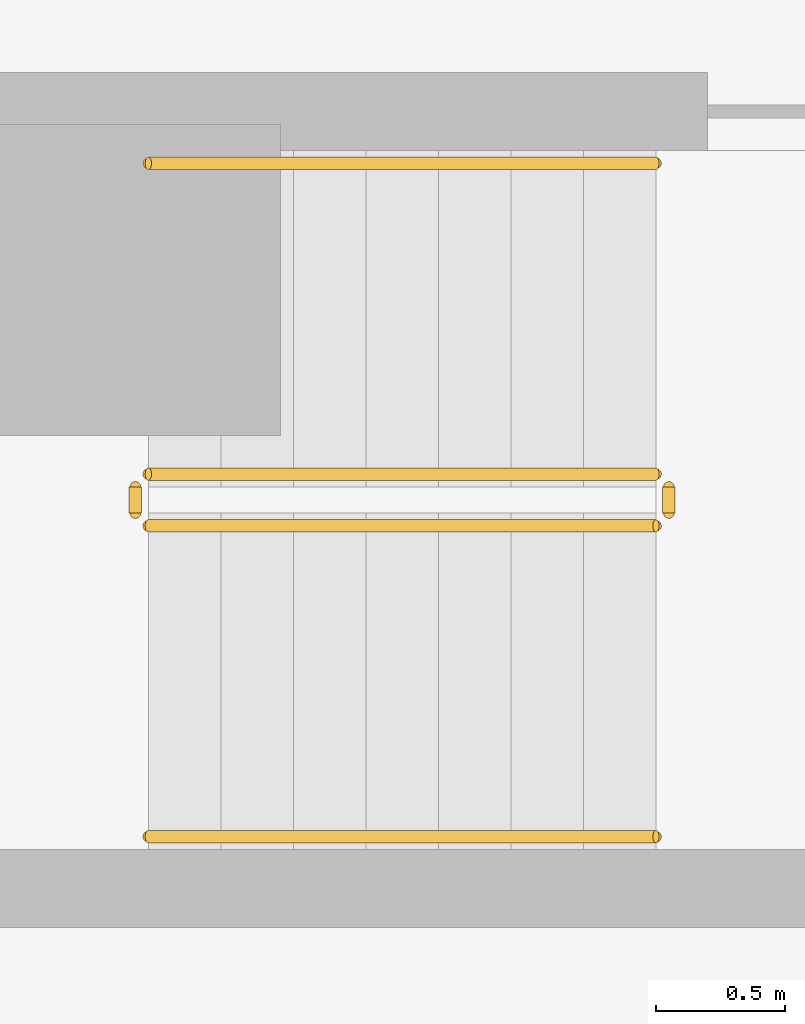
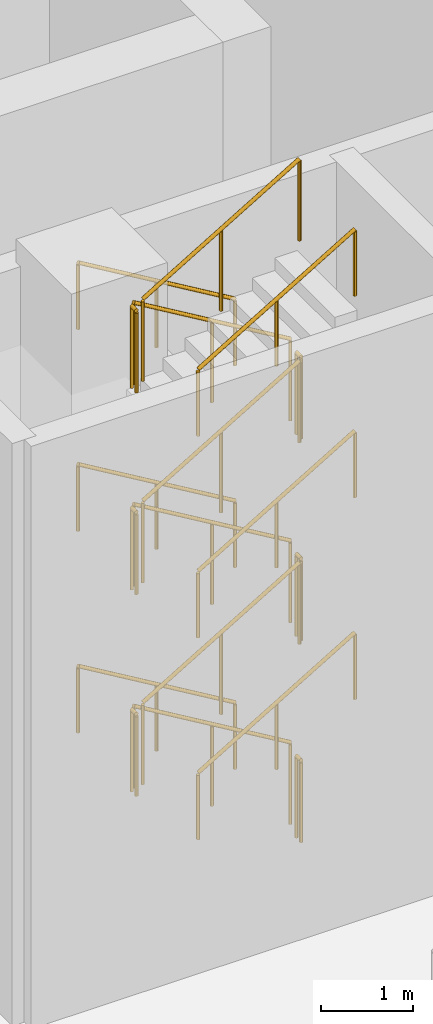
# One storey, part 50 of 54: 18 railings.
"""IFC4 building model written with IfcOpenShell, lengths in metres."""

from ifc_helpers import new_model, si_unit, direction, frame, origin, origin_2d, place, context, subcontext, project, spatial, circle, extrude, material, type_object, element, save


model = new_model("IFC4")

# Units and contexts
model_context = context("Model", 3, precision=1e-05, world=origin(), true_north=direction((0.0, 1.0)))
body_context = subcontext(model_context, "Body", "Model", "MODEL_VIEW")
ifc_project = project(units=[si_unit("LENGTHUNIT", "METRE"), si_unit("AREAUNIT", "SQUARE_METRE"), si_unit("VOLUMEUNIT", "CUBIC_METRE"), si_unit("PLANEANGLEUNIT", "RADIAN"), si_unit("MASSUNIT", "GRAM", prefix="KILO")], contexts=[model_context])

# Site, building, storey
site_placement = place(None, origin())
site = spatial("IfcSite", under=ifc_project, at=site_placement, CompositionType="ELEMENT")
building_placement = place(site_placement, origin())
building = spatial("IfcBuilding", under=site, at=building_placement, Name="Ogive Portal Towers", CompositionType="ELEMENT")
storey_placement = place(building_placement, origin())
storey = spatial("IfcBuildingStorey", under=building, at=storey_placement, Name="L00", CompositionType="ELEMENT", Elevation=0.0)

# Railings
ifc_material_1 = material(Name="Stainless steel balustrade", Category="steel")
railing_type_1 = type_object("IfcRailingType", Name="INT-GUARD", PredefinedType="GUARDRAIL", material=ifc_material_1)
railing_1_placement = place(storey_placement, frame((142.550048828125, 20.75, 0.166748046875)))
element("IfcRailing", 1, at=railing_1_placement, inside=storey, type_object=railing_type_1, Name="L00 ST-B2 stair guard 1", PredefinedType="GUARDRAIL", context=body_context, shape_type="SweptSolid", body=[
    extrude(circle(Radius=0.02392578125, at=origin_2d()), frame((0.0, 0.0, 1.076171875), z_axis=(-0.85931976652, 0.0, 0.511438695121), x_axis=(0.0, -1.0, 0.0)), (0.0, 0.0, 1.0), 2.28076171875),
    extrude(circle(Radius=0.02099609375, at=origin_2d()), origin(), (0.0, 0.0, 1.0), 1.052001953125),
    extrude(circle(Radius=0.02099609375, at=origin_2d()), frame((-0.97998046875, 0.0, 0.583251953125)), (0.0, 0.0, 1.0), 1.052001953125),
    extrude(circle(Radius=0.02099609375, at=origin_2d()), frame((-1.9599609375, 0.0, 1.16650390625)), (0.0, 0.0, 1.0), 1.052001953125),
])
railing_2_placement = place(storey_placement, frame((140.5400390625, 20.699951171875, 1.333251953125)))
element("IfcRailing", 2, at=railing_2_placement, inside=storey, type_object=railing_type_1, Name="L00 ST-B2 stair guard 2", PredefinedType="GUARDRAIL", context=body_context, shape_type="SweptSolid", body=[
    extrude(circle(Radius=0.02392578125, at=origin_2d()), frame((0.0, 0.0, 1.076171875), z_axis=(0.0, -1.0, 0.0), x_axis=(1.0, 0.0, 0.0)), (0.0, 0.0, 1.0), 0.099853515625),
    extrude(circle(Radius=0.02099609375, at=origin_2d()), origin(), (0.0, 0.0, 1.0), 1.052001953125),
    extrude(circle(Radius=0.02099609375, at=origin_2d()), frame((0.0, -0.099853515625, 0.0)), (0.0, 0.0, 1.0), 1.052001953125),
])
railing_3_placement = place(storey_placement, frame((140.590087890625, 20.550048828125, 1.5)))
element("IfcRailing", 3, at=railing_3_placement, inside=storey, type_object=railing_type_1, Name="L00 ST-B2 stair guard 3", PredefinedType="GUARDRAIL", context=body_context, shape_type="SweptSolid", body=[
    extrude(circle(Radius=0.02392578125, at=origin_2d()), frame((0.0, 0.0, 1.076171875), z_axis=(0.859272722373, 0.0, 0.511517730471), x_axis=(0.0, 1.0, 0.0)), (0.0, 0.0, 1.0), 2.281005859375),
    extrude(circle(Radius=0.02099609375, at=origin_2d()), origin(), (0.0, 0.0, 1.0), 1.052001953125),
    extrude(circle(Radius=0.02099609375, at=origin_2d()), frame((0.97998046875, 0.0, 0.58349609375)), (0.0, 0.0, 1.0), 1.052001953125),
    extrude(circle(Radius=0.02099609375, at=origin_2d()), frame((1.9599609375, 0.0, 1.166748046875)), (0.0, 0.0, 1.0), 1.052001953125),
])
railing_4_placement = place(storey_placement, frame((142.60009765625, 20.699951171875, 2.666748046875)))
element("IfcRailing", 4, at=railing_4_placement, inside=storey, type_object=railing_type_1, Name="L00 ST-B2 stair guard 4", PredefinedType="GUARDRAIL", context=body_context, shape_type="SweptSolid", body=[
    extrude(circle(Radius=0.02392578125, at=origin_2d()), frame((0.0, 0.0, 1.076171875), z_axis=(0.0, -1.0, 0.0), x_axis=(1.0, 0.0, 0.0)), (0.0, 0.0, 1.0), 0.099853515625),
    extrude(circle(Radius=0.02099609375, at=origin_2d()), origin(), (0.0, 0.0, 1.0), 1.052001953125),
    extrude(circle(Radius=0.02099609375, at=origin_2d()), frame((0.0, -0.099853515625, 0.0)), (0.0, 0.0, 1.0), 1.052001953125),
])
railing_5_placement = place(storey_placement, frame((142.550048828125, 20.75, 2.833251953125)))
element("IfcRailing", 5, at=railing_5_placement, inside=storey, type_object=railing_type_1, Name="L00 ST-B2 stair guard 5", PredefinedType="GUARDRAIL", context=body_context, shape_type="SweptSolid", body=[
    extrude(circle(Radius=0.02392578125, at=origin_2d()), frame((0.0, 0.0, 1.076171875), z_axis=(-0.859272722373, 0.0, 0.511517730471), x_axis=(0.0, -1.0, 0.0)), (0.0, 0.0, 1.0), 2.281005859375),
    extrude(circle(Radius=0.02099609375, at=origin_2d()), origin(), (0.0, 0.0, 1.0), 1.052001953125),
    extrude(circle(Radius=0.02099609375, at=origin_2d()), frame((-0.97998046875, 0.0, 0.58349609375)), (0.0, 0.0, 1.0), 1.052001953125),
    extrude(circle(Radius=0.02099609375, at=origin_2d()), frame((-1.9599609375, 0.0, 1.166748046875)), (0.0, 0.0, 1.0), 1.052001953125),
])
railing_6_placement = place(storey_placement, frame((140.5400390625, 20.699951171875, 4.0)))
element("IfcRailing", 6, at=railing_6_placement, inside=storey, type_object=railing_type_1, Name="L00 ST-B2 stair guard 6", PredefinedType="GUARDRAIL", context=body_context, shape_type="SweptSolid", body=[
    extrude(circle(Radius=0.02392578125, at=origin_2d()), frame((0.0, 0.0, 1.076171875), z_axis=(0.0, -1.0, 0.0), x_axis=(1.0, 0.0, 0.0)), (0.0, 0.0, 1.0), 0.099853515625),
    extrude(circle(Radius=0.02099609375, at=origin_2d()), origin(), (0.0, 0.0, 1.0), 1.052001953125),
    extrude(circle(Radius=0.02099609375, at=origin_2d()), frame((0.0, -0.099853515625, 0.0)), (0.0, 0.0, 1.0), 1.052001953125),
])
railing_7_placement = place(storey_placement, frame((140.590087890625, 20.550048828125, 4.166748046875)))
element("IfcRailing", 7, at=railing_7_placement, inside=storey, type_object=railing_type_1, Name="L00 ST-B2 stair guard 7", PredefinedType="GUARDRAIL", context=body_context, shape_type="SweptSolid", body=[
    extrude(circle(Radius=0.02392578125, at=origin_2d()), frame((0.0, 0.0, 1.076171875), z_axis=(0.85931976652, 0.0, 0.511438695121), x_axis=(0.0, 1.0, 0.0)), (0.0, 0.0, 1.0), 2.28076171875),
    extrude(circle(Radius=0.02099609375, at=origin_2d()), origin(), (0.0, 0.0, 1.0), 1.052001953125),
    extrude(circle(Radius=0.02099609375, at=origin_2d()), frame((0.97998046875, 0.0, 0.583251953125)), (0.0, 0.0, 1.0), 1.052001953125),
    extrude(circle(Radius=0.02099609375, at=origin_2d()), frame((1.9599609375, 0.0, 1.16650390625)), (0.0, 0.0, 1.0), 1.052001953125),
])
railing_8_placement = place(storey_placement, frame((142.60009765625, 20.699951171875, 5.333251953125)))
element("IfcRailing", 8, at=railing_8_placement, inside=storey, type_object=railing_type_1, Name="L00 ST-B2 stair guard 8", PredefinedType="GUARDRAIL", context=body_context, shape_type="SweptSolid", body=[
    extrude(circle(Radius=0.02392578125, at=origin_2d()), frame((0.0, 0.0, 1.076171875), z_axis=(0.0, -1.0, 0.0), x_axis=(1.0, 0.0, 0.0)), (0.0, 0.0, 1.0), 0.099853515625),
    extrude(circle(Radius=0.02099609375, at=origin_2d()), origin(), (0.0, 0.0, 1.0), 1.052001953125),
    extrude(circle(Radius=0.02099609375, at=origin_2d()), frame((0.0, -0.099853515625, 0.0)), (0.0, 0.0, 1.0), 1.052001953125),
])
railing_9_placement = place(storey_placement, frame((142.550048828125, 20.75, 5.5)))
element("IfcRailing", 9, at=railing_9_placement, inside=storey, type_object=railing_type_1, Name="L00 ST-B2 stair guard 9", PredefinedType="GUARDRAIL", context=body_context, shape_type="SweptSolid", body=[
    extrude(circle(Radius=0.02392578125, at=origin_2d()), frame((0.0, 0.0, 1.076171875), z_axis=(-0.859272722373, 0.0, 0.511517730471), x_axis=(0.0, -1.0, 0.0)), (0.0, 0.0, 1.0), 2.281005859375),
    extrude(circle(Radius=0.02099609375, at=origin_2d()), origin(), (0.0, 0.0, 1.0), 1.052001953125),
    extrude(circle(Radius=0.02099609375, at=origin_2d()), frame((-0.97998046875, 0.0, 0.58349609375)), (0.0, 0.0, 1.0), 1.052001953125),
    extrude(circle(Radius=0.02099609375, at=origin_2d()), frame((-1.9599609375, 0.0, 1.166748046875)), (0.0, 0.0, 1.0), 1.052001953125),
])
railing_10_placement = place(storey_placement, frame((140.5400390625, 20.699951171875, 6.666748046875)))
element("IfcRailing", 10, at=railing_10_placement, inside=storey, type_object=railing_type_1, Name="L00 ST-B2 stair guard 10", PredefinedType="GUARDRAIL", context=body_context, shape_type="SweptSolid", body=[
    extrude(circle(Radius=0.02392578125, at=origin_2d()), frame((0.0, 0.0, 1.076171875), z_axis=(0.0, -1.0, 0.0), x_axis=(1.0, 0.0, 0.0)), (0.0, 0.0, 1.0), 0.099853515625),
    extrude(circle(Radius=0.02099609375, at=origin_2d()), origin(), (0.0, 0.0, 1.0), 1.052001953125),
    extrude(circle(Radius=0.02099609375, at=origin_2d()), frame((0.0, -0.099853515625, 0.0)), (0.0, 0.0, 1.0), 1.052001953125),
])
railing_11_placement = place(storey_placement, frame((140.590087890625, 20.550048828125, 6.833251953125)))
element("IfcRailing", 11, at=railing_11_placement, inside=storey, type_object=railing_type_1, Name="L00 ST-B2 stair guard 11", PredefinedType="GUARDRAIL", context=body_context, shape_type="SweptSolid", body=[
    extrude(circle(Radius=0.02392578125, at=origin_2d()), frame((0.0, 0.0, 1.076171875), z_axis=(0.859272722373, 0.0, 0.511517730471), x_axis=(0.0, 1.0, 0.0)), (0.0, 0.0, 1.0), 2.281005859375),
    extrude(circle(Radius=0.02099609375, at=origin_2d()), origin(), (0.0, 0.0, 1.0), 1.052001953125),
    extrude(circle(Radius=0.02099609375, at=origin_2d()), frame((0.97998046875, 0.0, 0.58349609375)), (0.0, 0.0, 1.0), 1.052001953125),
    extrude(circle(Radius=0.02099609375, at=origin_2d()), frame((1.9599609375, 0.0, 1.166748046875)), (0.0, 0.0, 1.0), 1.052001953125),
])
railing_12_placement = place(storey_placement, frame((142.60009765625, 20.699951171875, 0.0)))
element("IfcRailing", 12, at=railing_12_placement, inside=storey, type_object=railing_type_1, Name="L00 ST-B2 stair guard 12", PredefinedType="GUARDRAIL", context=body_context, shape_type="SweptSolid", body=[
    extrude(circle(Radius=0.02392578125, at=origin_2d()), frame((0.0, 0.0, 1.076171875), z_axis=(0.0, -1.0, 0.0), x_axis=(1.0, 0.0, 0.0)), (0.0, 0.0, 1.0), 0.099853515625),
    extrude(circle(Radius=0.02099609375, at=origin_2d()), origin(), (0.0, 0.0, 1.0), 1.052001953125),
    extrude(circle(Radius=0.02099609375, at=origin_2d()), frame((0.0, -0.099853515625, 0.0)), (0.0, 0.0, 1.0), 1.052001953125),
])
ifc_material_2 = material(Name="Stainless steel handrail", Category="steel")
railing_type_2 = type_object("IfcRailingType", Name="INT-HANDRAIL", PredefinedType="HANDRAIL", material=ifc_material_2)
railing_13_placement = place(storey_placement, frame((142.550048828125, 21.949951171875, 0.166748046875)))
element("IfcRailing", 13, at=railing_13_placement, inside=storey, type_object=railing_type_2, Name="L00 ST-B2 stair handrail 1", PredefinedType="HANDRAIL", context=body_context, shape_type="SweptSolid", body=[
    extrude(circle(Radius=0.02392578125, at=origin_2d()), frame((0.0, 0.0, 0.8759765625), z_axis=(-0.85931976652, 0.0, 0.511438695121), x_axis=(0.0, -1.0, 0.0)), (0.0, 0.0, 1.0), 2.28076171875),
    extrude(circle(Radius=0.02099609375, at=origin_2d()), origin(), (0.0, 0.0, 1.0), 0.851806640625),
    extrude(circle(Radius=0.02099609375, at=origin_2d()), frame((-0.97998046875, 0.0, 0.583251953125)), (0.0, 0.0, 1.0), 0.851806640625),
    extrude(circle(Radius=0.02099609375, at=origin_2d()), frame((-1.9599609375, 0.0, 1.16650390625)), (0.0, 0.0, 1.0), 0.851806640625),
])
railing_14_placement = place(storey_placement, frame((140.590087890625, 19.35009765625, 1.5)))
element("IfcRailing", 14, at=railing_14_placement, inside=storey, type_object=railing_type_2, Name="L00 ST-B2 stair handrail 2", PredefinedType="HANDRAIL", context=body_context, shape_type="SweptSolid", body=[
    extrude(circle(Radius=0.02392578125, at=origin_2d()), frame((0.0, 0.0, 0.8759765625), z_axis=(0.859272722373, 0.0, 0.511517730471), x_axis=(0.0, 1.0, 0.0)), (0.0, 0.0, 1.0), 2.281005859375),
    extrude(circle(Radius=0.02099609375, at=origin_2d()), origin(), (0.0, 0.0, 1.0), 0.851806640625),
    extrude(circle(Radius=0.02099609375, at=origin_2d()), frame((0.97998046875, 0.0, 0.58349609375)), (0.0, 0.0, 1.0), 0.851806640625),
    extrude(circle(Radius=0.02099609375, at=origin_2d()), frame((1.9599609375, 0.0, 1.166748046875)), (0.0, 0.0, 1.0), 0.851806640625),
])
railing_15_placement = place(storey_placement, frame((142.550048828125, 21.949951171875, 2.833251953125)))
element("IfcRailing", 15, at=railing_15_placement, inside=storey, type_object=railing_type_2, Name="L00 ST-B2 stair handrail 3", PredefinedType="HANDRAIL", context=body_context, shape_type="SweptSolid", body=[
    extrude(circle(Radius=0.02392578125, at=origin_2d()), frame((0.0, 0.0, 0.8759765625), z_axis=(-0.859272722373, 0.0, 0.511517730471), x_axis=(0.0, -1.0, 0.0)), (0.0, 0.0, 1.0), 2.281005859375),
    extrude(circle(Radius=0.02099609375, at=origin_2d()), origin(), (0.0, 0.0, 1.0), 0.851806640625),
    extrude(circle(Radius=0.02099609375, at=origin_2d()), frame((-0.97998046875, 0.0, 0.58349609375)), (0.0, 0.0, 1.0), 0.851806640625),
    extrude(circle(Radius=0.02099609375, at=origin_2d()), frame((-1.9599609375, 0.0, 1.166748046875)), (0.0, 0.0, 1.0), 0.851806640625),
])
railing_16_placement = place(storey_placement, frame((140.590087890625, 19.35009765625, 4.166748046875)))
element("IfcRailing", 16, at=railing_16_placement, inside=storey, type_object=railing_type_2, Name="L00 ST-B2 stair handrail 4", PredefinedType="HANDRAIL", context=body_context, shape_type="SweptSolid", body=[
    extrude(circle(Radius=0.02392578125, at=origin_2d()), frame((0.0, 0.0, 0.8759765625), z_axis=(0.85931976652, 0.0, 0.511438695121), x_axis=(0.0, 1.0, 0.0)), (0.0, 0.0, 1.0), 2.28076171875),
    extrude(circle(Radius=0.02099609375, at=origin_2d()), origin(), (0.0, 0.0, 1.0), 0.851806640625),
    extrude(circle(Radius=0.02099609375, at=origin_2d()), frame((0.97998046875, 0.0, 0.583251953125)), (0.0, 0.0, 1.0), 0.851806640625),
    extrude(circle(Radius=0.02099609375, at=origin_2d()), frame((1.9599609375, 0.0, 1.16650390625)), (0.0, 0.0, 1.0), 0.851806640625),
])
railing_17_placement = place(storey_placement, frame((142.550048828125, 21.949951171875, 5.5)))
element("IfcRailing", 17, at=railing_17_placement, inside=storey, type_object=railing_type_2, Name="L00 ST-B2 stair handrail 5", PredefinedType="HANDRAIL", context=body_context, shape_type="SweptSolid", body=[
    extrude(circle(Radius=0.02392578125, at=origin_2d()), frame((0.0, 0.0, 0.8759765625), z_axis=(-0.859272722373, 0.0, 0.511517730471), x_axis=(0.0, -1.0, 0.0)), (0.0, 0.0, 1.0), 2.281005859375),
    extrude(circle(Radius=0.02099609375, at=origin_2d()), origin(), (0.0, 0.0, 1.0), 0.851806640625),
    extrude(circle(Radius=0.02099609375, at=origin_2d()), frame((-0.97998046875, 0.0, 0.58349609375)), (0.0, 0.0, 1.0), 0.851806640625),
    extrude(circle(Radius=0.02099609375, at=origin_2d()), frame((-1.9599609375, 0.0, 1.166748046875)), (0.0, 0.0, 1.0), 0.851806640625),
])
railing_18_placement = place(storey_placement, frame((140.590087890625, 19.35009765625, 6.833251953125)))
element("IfcRailing", 18, at=railing_18_placement, inside=storey, type_object=railing_type_2, Name="L00 ST-B2 stair handrail 6", PredefinedType="HANDRAIL", context=body_context, shape_type="SweptSolid", body=[
    extrude(circle(Radius=0.02392578125, at=origin_2d()), frame((0.0, 0.0, 0.8759765625), z_axis=(0.859272722373, 0.0, 0.511517730471), x_axis=(0.0, 1.0, 0.0)), (0.0, 0.0, 1.0), 2.281005859375),
    extrude(circle(Radius=0.02099609375, at=origin_2d()), origin(), (0.0, 0.0, 1.0), 0.851806640625),
    extrude(circle(Radius=0.02099609375, at=origin_2d()), frame((0.97998046875, 0.0, 0.58349609375)), (0.0, 0.0, 1.0), 0.851806640625),
    extrude(circle(Radius=0.02099609375, at=origin_2d()), frame((1.9599609375, 0.0, 1.166748046875)), (0.0, 0.0, 1.0), 0.851806640625),
])

save(model, "model.ifc")
